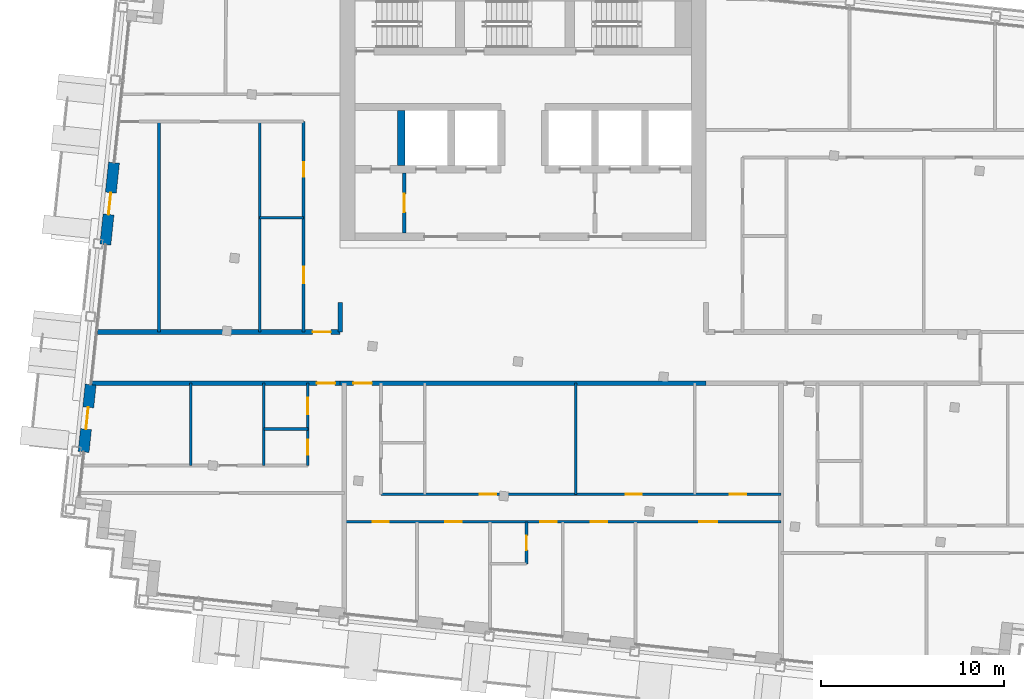
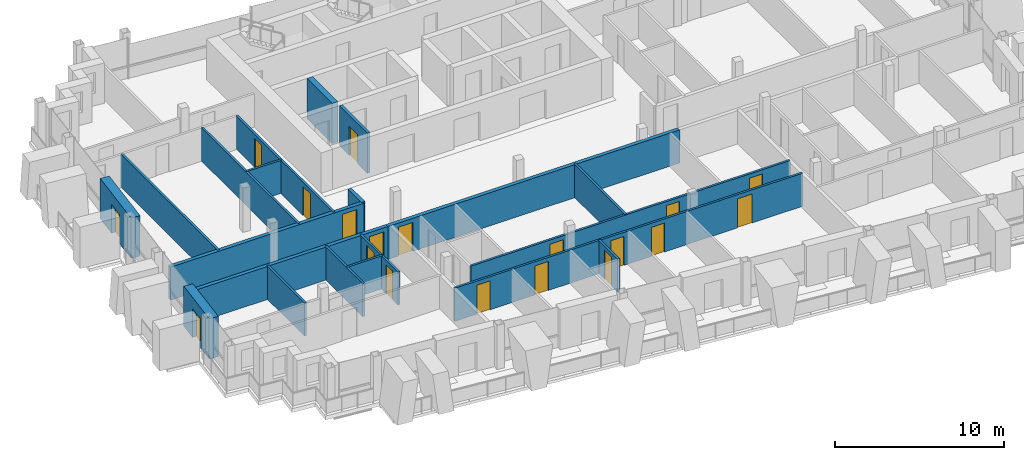
# One storey, part 9 of 16: 20 walls, 19 doors, 19 openings.
"""IFC4 building model written with IfcOpenShell, lengths in metres."""

from ifc_helpers import new_model, si_unit, direction, frame, frame_2d, origin, place, context, subcontext, project, spatial, rectangle, extrude, material, layer, layer_set, type_object, element, fill, save


model = new_model("IFC4")

# Units and contexts
model_context = context("Model", 3, precision=1e-05, world=origin(), true_north=direction((0.0, 1.0)))
body_context = subcontext(model_context, "Body", "Model", "MODEL_VIEW")
ifc_project = project(units=[si_unit("LENGTHUNIT", "METRE"), si_unit("AREAUNIT", "SQUARE_METRE"), si_unit("VOLUMEUNIT", "CUBIC_METRE"), si_unit("PLANEANGLEUNIT", "RADIAN"), si_unit("MASSUNIT", "GRAM", prefix="KILO")], contexts=[model_context])

# Site, building, storey
site_placement = place(None, origin())
site = spatial("IfcSite", under=ifc_project, at=site_placement, CompositionType="ELEMENT")
building_placement = place(site_placement, origin())
building = spatial("IfcBuilding", under=site, at=building_placement, Name="Vidyagriha Tower", CompositionType="ELEMENT")
storey_placement = place(building_placement, frame((0.0, 0.0, 253.10009765625)))
storey = spatial("IfcBuildingStorey", under=building, at=storey_placement, Name="L65", CompositionType="ELEMENT", Elevation=253.10009765625)

# Wall, opening, door
ifc_material_1 = material(Name="Precast concrete C40/50 with brick facing", Category="concrete")
ifc_layer_1 = layer(ifc_material_1, 0.60009765625)
ifc_layer_set_1 = layer_set([ifc_layer_1], Name="Precast concrete C40/50 with brick facing")
wall_type_1 = type_object("IfcWallType", Name="Brick-faced precast wall 600", PredefinedType="STANDARD", material=ifc_layer_set_1)
wall_1_placement = place(storey_placement, frame((-22.36279296875, 10.65673828125, 0.0), z_axis=(0.0, 0.0, 1.0), x_axis=(-0.104492739125, -0.994525649478, 0.0)))
wall_1 = element("IfcWall", 1, at=wall_1_placement, inside=storey, type_object=wall_type_1, Name="Brick door bay wall L65 R14.3", PredefinedType="STANDARD", context=body_context, shape_type="SweptSolid", body=[
    extrude(rectangle(XDim=4.5, YDim=0.60009765625, at=frame_2d((2.25, 0.0))), origin(), (0.0, 0.0, 1.0), 2.919921875),
])
opening_1_placement = place(wall_1_placement, frame((1.64990234375, 0.0, 0.0)))
opening_1 = element("IfcOpeningElement", 2, at=opening_1_placement, cuts=wall_1, Name="Opening D65-53", PredefinedType="OPENING", context=body_context, shape_type="SweptSolid", body=[
    extrude(rectangle(XDim=1.199951171875, YDim=2.10009765625, at=frame_2d((0.60009765625, 1.050048828125))), frame((0.0, 0.31005859375, 0.0), z_axis=(0.0, -1.0, 0.0), x_axis=(1.0, 0.0, 0.0)), (0.0, 0.0, 1.0), 0.6201171875),
])
ifc_material_2 = material(Name="Aluminium framed glazed sliding door", Category="aluminium")
door_type_1 = type_object("IfcDoorType", Name="Balcony sliding door 1200x2100", OperationType="NOTDEFINED", PredefinedType="DOOR", material=ifc_material_2)
door_1_placement = place(opening_1_placement, origin())
door_1 = element("IfcDoor", 3, at=door_1_placement, inside=storey, type_object=door_type_1, Name="Door D65-53", OperationType="SLIDING_TO_LEFT", OverallHeight=2.10009765625, OverallWidth=1.199951171875, PredefinedType="DOOR", context=body_context, shape_type="SweptSolid", body=[
    extrude(rectangle(XDim=1.199951171875, YDim=2.10009765625, at=frame_2d((0.60009765625, 1.050048828125))), frame((0.0, 0.02490234375, 0.0), z_axis=(0.0, -1.0, 0.0), x_axis=(1.0, 0.0, 0.0)), (0.0, 0.0, 1.0), 0.050048828125),
])
fill(opening_1, door_1)

wall_2_placement = place(storey_placement, frame((-23.637939453125, -1.476318359375, 0.0), z_axis=(0.0, 0.0, 1.0), x_axis=(-0.104513052986, -0.994523514933, 0.0)))
wall_2 = element("IfcWall", 4, at=wall_2_placement, inside=storey, type_object=wall_type_1, Name="Brick door bay wall L65 R14.6", PredefinedType="STANDARD", context=body_context, shape_type="SweptSolid", body=[
    extrude(rectangle(XDim=3.7001953125, YDim=0.60009765625, at=frame_2d((1.85009765625, 0.0))), origin(), (0.0, 0.0, 1.0), 2.919921875),
])
opening_2_placement = place(wall_2_placement, frame((1.25, 0.0, 0.0)))
opening_2 = element("IfcOpeningElement", 5, at=opening_2_placement, cuts=wall_2, Name="Opening D65-54", PredefinedType="OPENING", context=body_context, shape_type="SweptSolid", body=[
    extrude(rectangle(XDim=1.199951171875, YDim=2.10009765625, at=frame_2d((0.60009765625, 1.050048828125))), frame((0.0, 0.31005859375, 0.0), z_axis=(0.0, -1.0, 0.0), x_axis=(1.0, 0.0, 0.0)), (0.0, 0.0, 1.0), 0.6201171875),
])
door_2_placement = place(opening_2_placement, origin())
door_2 = element("IfcDoor", 6, at=door_2_placement, inside=storey, type_object=door_type_1, Name="Door D65-54", OperationType="SLIDING_TO_LEFT", OverallHeight=2.10009765625, OverallWidth=1.199951171875, PredefinedType="DOOR", context=body_context, shape_type="SweptSolid", body=[
    extrude(rectangle(XDim=1.199951171875, YDim=2.10009765625, at=frame_2d((0.60009765625, 1.050048828125))), frame((0.0, 0.02490234375, 0.0), z_axis=(0.0, -1.0, 0.0), x_axis=(1.0, 0.0, 0.0)), (0.0, 0.0, 1.0), 0.050048828125),
])
fill(opening_2, door_2)

# Wall
ifc_material_3 = material(Name="Concrete C60/75", Category="concrete")
ifc_layer_2 = layer(ifc_material_3, 0.39990234375)
ifc_layer_set_2 = layer_set([ifc_layer_2], Name="Concrete C60/75")
wall_type_2 = type_object("IfcWallType", Name="Core shear wall 400 mm", PredefinedType="SHEAR", material=ifc_layer_set_2)
wall_3_placement = place(storey_placement, frame((-6.666748046875, 10.5, 0.0), z_axis=(0.0, 0.0, 1.0), x_axis=(0.0, 1.0, 0.0)))
element("IfcWall", 7, at=wall_3_placement, inside=storey, type_object=wall_type_2, Name="Core bay wall N1", PredefinedType="SHEAR", context=body_context, shape_type="SweptSolid", body=[
    extrude(rectangle(XDim=3.0, YDim=0.39990234375, at=frame_2d((1.5, 0.0))), origin(), (0.0, 0.0, 1.0), 2.919921875),
])

# Wall, opening, door
ifc_material_4 = material(Name="Fired clay brick masonry", Category="masonry")
ifc_layer_3 = layer(ifc_material_4, 0.25)
ifc_layer_set_3 = layer_set([ifc_layer_3], Name="Fired clay brick masonry")
wall_type_3 = type_object("IfcWallType", Name="Fired clay brick corridor wall 250", PredefinedType="PARTITIONING", material=ifc_layer_set_3)
wall_4_placement = place(storey_placement, frame((-10.0, -1.39990234375, 0.0), z_axis=(0.0, 0.0, 1.0), x_axis=(-1.0, 0.0, 0.0)))
wall_4 = element("IfcWall", 8, at=wall_4_placement, inside=storey, type_object=wall_type_3, Name="Wall all-L65-w056", PredefinedType="PARTITIONING", context=body_context, shape_type="SweptSolid", body=[
    extrude(rectangle(XDim=13.5595703125, YDim=0.25, at=frame_2d((6.77978515625, 0.0))), origin(), (0.0, 0.0, 1.0), 2.39990234375),
])
opening_3_placement = place(wall_4_placement, frame((0.27001953125, 0.0, 0.0)))
opening_3 = element("IfcOpeningElement", 9, at=opening_3_placement, cuts=wall_4, Name="Opening D65-15", PredefinedType="OPENING", context=body_context, shape_type="SweptSolid", body=[
    extrude(rectangle(XDim=1.0, YDim=2.10009765625, at=frame_2d((0.5, 1.050048828125))), frame((0.0, 0.135009765625, 0.0), z_axis=(0.0, -1.0, 0.0), x_axis=(1.0, 0.0, 0.0)), (0.0, 0.0, 1.0), 0.27001953125),
])
ifc_material_5 = material(Name="Fire-rated timber door leaf EI 60", Category="wood")
door_type_2 = type_object("IfcDoorType", Name="Flat entrance fire door 1000x2100", OperationType="NOTDEFINED", PredefinedType="DOOR", material=ifc_material_5)
door_3_placement = place(opening_3_placement, origin())
door_3 = element("IfcDoor", 10, at=door_3_placement, inside=storey, type_object=door_type_2, Name="Door D65-15", OperationType="SINGLE_SWING_LEFT", OverallHeight=2.10009765625, OverallWidth=1.0, PredefinedType="DOOR", context=body_context, shape_type="SweptSolid", body=[
    extrude(rectangle(XDim=1.0, YDim=2.10009765625, at=frame_2d((0.5, 1.050048828125))), frame((0.0, 0.02490234375, 0.0), z_axis=(0.0, -1.0, 0.0), x_axis=(1.0, 0.0, 0.0)), (0.0, 0.0, 1.0), 0.050048828125),
])
fill(opening_3, door_3)

wall_5_placement = place(storey_placement, frame((-23.26513671875, 1.39990234375, 0.0)))
wall_5 = element("IfcWall", 11, at=wall_5_placement, inside=storey, type_object=wall_type_3, Name="Wall all-L65-w073", PredefinedType="PARTITIONING", context=body_context, shape_type="SweptSolid", body=[
    extrude(rectangle(XDim=13.26513671875, YDim=0.25, at=frame_2d((6.632568359375, 0.0))), origin(), (0.0, 0.0, 1.0), 2.39990234375),
])
opening_4_placement = place(wall_5_placement, frame((11.76513671875, 0.0, 0.0)))
opening_4 = element("IfcOpeningElement", 12, at=opening_4_placement, cuts=wall_5, Name="Opening D65-42", PredefinedType="OPENING", context=body_context, shape_type="SweptSolid", body=[
    extrude(rectangle(XDim=1.0, YDim=2.10009765625, at=frame_2d((0.5, 1.050048828125))), frame((0.0, 0.135009765625, 0.0), z_axis=(0.0, -1.0, 0.0), x_axis=(1.0, 0.0, 0.0)), (0.0, 0.0, 1.0), 0.27001953125),
])
door_4_placement = place(opening_4_placement, origin())
door_4 = element("IfcDoor", 13, at=door_4_placement, inside=storey, type_object=door_type_2, Name="Door D65-42", OperationType="SINGLE_SWING_RIGHT", OverallHeight=2.10009765625, OverallWidth=1.0, PredefinedType="DOOR", context=body_context, shape_type="SweptSolid", body=[
    extrude(rectangle(XDim=1.0, YDim=2.10009765625, at=frame_2d((0.5, 1.050048828125))), frame((0.0, 0.02490234375, 0.0), z_axis=(0.0, -1.0, 0.0), x_axis=(1.0, 0.0, 0.0)), (0.0, 0.0, 1.0), 0.050048828125),
])
fill(opening_4, door_4)

wall_6_placement = place(storey_placement, frame((10.0, -1.39990234375, 0.0), z_axis=(0.0, 0.0, 1.0), x_axis=(-1.0, 0.0, 0.0)))
wall_6 = element("IfcWall", 14, at=wall_6_placement, inside=storey, type_object=wall_type_3, Name="Wall all-L65-w096", PredefinedType="PARTITIONING", context=body_context, shape_type="SweptSolid", body=[
    extrude(rectangle(XDim=20.0, YDim=0.25, at=frame_2d((10.0, 0.0))), origin(), (0.0, 0.0, 1.0), 2.39990234375),
])
opening_5_placement = place(wall_6_placement, frame((18.27001953125, 0.0, 0.0)))
opening_5 = element("IfcOpeningElement", 15, at=opening_5_placement, cuts=wall_6, Name="Opening D65-27", PredefinedType="OPENING", context=body_context, shape_type="SweptSolid", body=[
    extrude(rectangle(XDim=1.0, YDim=2.10009765625, at=frame_2d((0.5, 1.050048828125))), frame((0.0, 0.135009765625, 0.0), z_axis=(0.0, -1.0, 0.0), x_axis=(1.0, 0.0, 0.0)), (0.0, 0.0, 1.0), 0.27001953125),
])
door_5_placement = place(opening_5_placement, origin())
door_5 = element("IfcDoor", 16, at=door_5_placement, inside=storey, type_object=door_type_2, Name="Door D65-27", OperationType="SINGLE_SWING_RIGHT", OverallHeight=2.10009765625, OverallWidth=1.0, PredefinedType="DOOR", context=body_context, shape_type="SweptSolid", body=[
    extrude(rectangle(XDim=1.0, YDim=2.10009765625, at=frame_2d((0.5, 1.050048828125))), frame((0.0, 0.02490234375, 0.0), z_axis=(0.0, -1.0, 0.0), x_axis=(1.0, 0.0, 0.0)), (0.0, 0.0, 1.0), 0.050048828125),
])
fill(opening_5, door_5)

# Walls
wall_7_placement = place(storey_placement, frame((-10.0, 3.0, 0.0), z_axis=(0.0, 0.0, 1.0), x_axis=(0.0, -1.0, 0.0)))
element("IfcWall", 17, at=wall_7_placement, inside=storey, type_object=wall_type_3, Name="Wall all-L65-w097", PredefinedType="PARTITIONING", context=body_context, shape_type="SweptSolid", body=[
    extrude(rectangle(XDim=1.60009765625, YDim=0.25, at=frame_2d((0.800048828125, 0.0))), origin(), (0.0, 0.0, 1.0), 2.39990234375),
])
ifc_material_6 = material(Name="Gypsum board partition")
ifc_layer_4 = layer(ifc_material_6, 0.14990234375)
ifc_layer_set_4 = layer_set([ifc_layer_4], Name="Gypsum board partition")
wall_type_4 = type_object("IfcWallType", Name="Gypsum board partition 150", PredefinedType="PARTITIONING", material=ifc_layer_set_4)
wall_8_placement = place(storey_placement, frame((-11.77001953125, -3.89990234375, 0.0), z_axis=(0.0, 0.0, 1.0), x_axis=(-1.0, 0.0, 0.0)))
element("IfcWall", 18, at=wall_8_placement, inside=storey, type_object=wall_type_4, Name="Wall all-L65-w004", PredefinedType="PARTITIONING", context=body_context, shape_type="SweptSolid", body=[
    extrude(rectangle(XDim=2.39990234375, YDim=0.14990234375, at=frame_2d((1.199951171875, 0.0))), origin(), (0.0, 0.0, 1.0), 2.39990234375),
])
for number, where, z_axis, x_axis, name in (
    (19, (-14.169921875, -5.89990234375, 0.0), (0.0, 0.0, 1.0), (0.0, 1.0, 0.0), "Wall all-L65-w005"),
    (20, (-18.169921875, -5.89990234375, 0.0), (0.0, 0.0, 1.0), (0.0, 1.0, 0.0), "Wall all-L65-w006"),
):
    element("IfcWall", number, at=place(storey_placement, frame(where, z_axis=z_axis, x_axis=x_axis)), inside=storey, type_object=wall_type_4, Name=name, PredefinedType="PARTITIONING", context=body_context, shape_type="SweptSolid", body=[
        extrude(rectangle(XDim=4.5, YDim=0.14990234375, at=frame_2d((2.25, 0.0))), origin(), (0.0, 0.0, 1.0), 2.39990234375),
    ])
wall_9_placement = place(storey_placement, frame((2.8798828125, -1.39990234375, 0.0), z_axis=(0.0, 0.0, 1.0), x_axis=(0.0, -1.0, 0.0)))
element("IfcWall", 21, at=wall_9_placement, inside=storey, type_object=wall_type_4, Name="Wall all-L65-w018", PredefinedType="PARTITIONING", context=body_context, shape_type="SweptSolid", body=[
    extrude(rectangle(XDim=6.07470703125, YDim=0.14990234375, at=frame_2d((3.037353515625, 0.0))), origin(), (0.0, 0.0, 1.0), 2.39990234375),
])

# Wall, openings, doors
wall_10_placement = place(storey_placement, frame((-7.77001953125, -7.474609375, 0.0)))
wall_10 = element("IfcWall", 22, at=wall_10_placement, inside=storey, type_object=wall_type_4, Name="Wall all-L65-w020", PredefinedType="PARTITIONING", context=body_context, shape_type="SweptSolid", body=[
    extrude(rectangle(XDim=21.867919921875, YDim=0.14990234375, at=frame_2d((10.93408203125, 0.0))), origin(), (0.0, 0.0, 1.0), 2.39990234375),
])
opening_6_placement = place(wall_10_placement, frame((5.413818359375, 0.0, 0.0)))
opening_6 = element("IfcOpeningElement", 23, at=opening_6_placement, cuts=wall_10, Name="Opening D65-18", PredefinedType="OPENING", context=body_context, shape_type="SweptSolid", body=[
    extrude(rectangle(XDim=0.89990234375, YDim=2.10009765625, at=frame_2d((0.449951171875, 1.050048828125))), frame((0.0, 0.0849609375, 0.0), z_axis=(0.0, -1.0, 0.0), x_axis=(1.0, 0.0, 0.0)), (0.0, 0.0, 1.0), 0.169921875),
])
opening_7_placement = place(wall_10_placement, frame((13.3701171875, 0.0, 0.0)))
opening_7 = element("IfcOpeningElement", 24, at=opening_7_placement, cuts=wall_10, Name="Opening D65-19", PredefinedType="OPENING", context=body_context, shape_type="SweptSolid", body=[
    extrude(rectangle(XDim=0.89990234375, YDim=2.10009765625, at=frame_2d((0.449951171875, 1.050048828125))), frame((0.0, 0.0849609375, 0.0), z_axis=(0.0, -1.0, 0.0), x_axis=(1.0, 0.0, 0.0)), (0.0, 0.0, 1.0), 0.169921875),
])
opening_8_placement = place(wall_10_placement, frame((19.05908203125, 0.0, 0.0)))
opening_8 = element("IfcOpeningElement", 25, at=opening_8_placement, cuts=wall_10, Name="Opening D65-20", PredefinedType="OPENING", context=body_context, shape_type="SweptSolid", body=[
    extrude(rectangle(XDim=0.89990234375, YDim=2.10009765625, at=frame_2d((0.449951171875, 1.050048828125))), frame((0.0, 0.0849609375, 0.0), z_axis=(0.0, -1.0, 0.0), x_axis=(1.0, 0.0, 0.0)), (0.0, 0.0, 1.0), 0.169921875),
])
ifc_material_7 = material(Name="Timber door leaf", Category="wood")
door_type_3 = type_object("IfcDoorType", Name="Room door 900x2100", OperationType="NOTDEFINED", PredefinedType="DOOR", material=ifc_material_7)
door_6_placement = place(opening_6_placement, origin())
door_6 = element("IfcDoor", 26, at=door_6_placement, inside=storey, type_object=door_type_3, Name="Door D65-18", OperationType="SINGLE_SWING_LEFT", OverallHeight=2.10009765625, OverallWidth=0.89990234375, PredefinedType="DOOR", context=body_context, shape_type="SweptSolid", body=[
    extrude(rectangle(XDim=0.89990234375, YDim=2.10009765625, at=frame_2d((0.449951171875, 1.050048828125))), frame((0.0, 0.02490234375, 0.0), z_axis=(0.0, -1.0, 0.0), x_axis=(1.0, 0.0, 0.0)), (0.0, 0.0, 1.0), 0.050048828125),
])
fill(opening_6, door_6)
door_7_placement = place(opening_7_placement, origin())
door_7 = element("IfcDoor", 27, at=door_7_placement, inside=storey, type_object=door_type_3, Name="Door D65-19", OperationType="SINGLE_SWING_LEFT", OverallHeight=2.10009765625, OverallWidth=0.89990234375, PredefinedType="DOOR", context=body_context, shape_type="SweptSolid", body=[
    extrude(rectangle(XDim=0.89990234375, YDim=2.10009765625, at=frame_2d((0.449951171875, 1.050048828125))), frame((0.0, 0.02490234375, 0.0), z_axis=(0.0, -1.0, 0.0), x_axis=(1.0, 0.0, 0.0)), (0.0, 0.0, 1.0), 0.050048828125),
])
fill(opening_7, door_7)
door_8_placement = place(opening_8_placement, origin())
door_8 = element("IfcDoor", 28, at=door_8_placement, inside=storey, type_object=door_type_3, Name="Door D65-20", OperationType="SINGLE_SWING_RIGHT", OverallHeight=2.10009765625, OverallWidth=0.89990234375, PredefinedType="DOOR", context=body_context, shape_type="SweptSolid", body=[
    extrude(rectangle(XDim=0.89990234375, YDim=2.10009765625, at=frame_2d((0.449951171875, 1.050048828125))), frame((0.0, 0.02490234375, 0.0), z_axis=(0.0, -1.0, 0.0), x_axis=(1.0, 0.0, 0.0)), (0.0, 0.0, 1.0), 0.050048828125),
])
fill(opening_8, door_8)

wall_11_placement = place(storey_placement, frame((14.097900390625, -8.974609375, 0.0), z_axis=(0.0, 0.0, 1.0), x_axis=(-1.0, 0.0, 0.0)))
wall_11 = element("IfcWall", 29, at=wall_11_placement, inside=storey, type_object=wall_type_4, Name="Wall all-L65-w024", PredefinedType="PARTITIONING", context=body_context, shape_type="SweptSolid", body=[
    extrude(rectangle(XDim=23.867919921875, YDim=0.14990234375, at=frame_2d((11.93408203125, 0.0))), origin(), (0.0, 0.0, 1.0), 2.39990234375),
])
opening_9_placement = place(wall_11_placement, frame((21.42919921875, 0.0, 0.0)))
opening_9 = element("IfcOpeningElement", 30, at=opening_9_placement, cuts=wall_11, Name="Opening D65-21", PredefinedType="OPENING", context=body_context, shape_type="SweptSolid", body=[
    extrude(rectangle(XDim=0.89990234375, YDim=2.10009765625, at=frame_2d((0.449951171875, 1.050048828125))), frame((0.0, 0.0849609375, 0.0), z_axis=(0.0, -1.0, 0.0), x_axis=(1.0, 0.0, 0.0)), (0.0, 0.0, 1.0), 0.169921875),
])
opening_10_placement = place(wall_11_placement, frame((17.451416015625, 0.0, 0.0)))
opening_10 = element("IfcOpeningElement", 31, at=opening_10_placement, cuts=wall_11, Name="Opening D65-22", PredefinedType="OPENING", context=body_context, shape_type="SweptSolid", body=[
    extrude(rectangle(XDim=0.89990234375, YDim=2.10009765625, at=frame_2d((0.449951171875, 1.050048828125))), frame((0.0, 0.0849609375, 0.0), z_axis=(0.0, -1.0, 0.0), x_axis=(1.0, 0.0, 0.0)), (0.0, 0.0, 1.0), 0.169921875),
])
opening_11_placement = place(wall_11_placement, frame((12.252197265625, 0.0, 0.0)))
opening_11 = element("IfcOpeningElement", 32, at=opening_11_placement, cuts=wall_11, Name="Opening D65-23", PredefinedType="OPENING", context=body_context, shape_type="SweptSolid", body=[
    extrude(rectangle(XDim=0.89990234375, YDim=2.10009765625, at=frame_2d((0.449951171875, 1.050048828125))), frame((0.0, 0.0849609375, 0.0), z_axis=(0.0, -1.0, 0.0), x_axis=(1.0, 0.0, 0.0)), (0.0, 0.0, 1.0), 0.169921875),
])
opening_12_placement = place(wall_11_placement, frame((9.4951171875, 0.0, 0.0)))
opening_12 = element("IfcOpeningElement", 33, at=opening_12_placement, cuts=wall_11, Name="Opening D65-24", PredefinedType="OPENING", context=body_context, shape_type="SweptSolid", body=[
    extrude(rectangle(XDim=0.89990234375, YDim=2.10009765625, at=frame_2d((0.449951171875, 1.050048828125))), frame((0.0, 0.0849609375, 0.0), z_axis=(0.0, -1.0, 0.0), x_axis=(1.0, 0.0, 0.0)), (0.0, 0.0, 1.0), 0.169921875),
])
opening_13_placement = place(wall_11_placement, frame((3.47802734375, 0.0, 0.0)))
opening_13 = element("IfcOpeningElement", 34, at=opening_13_placement, cuts=wall_11, Name="Opening D65-25", PredefinedType="OPENING", context=body_context, shape_type="SweptSolid", body=[
    extrude(rectangle(XDim=1.0, YDim=2.10009765625, at=frame_2d((0.5, 1.050048828125))), frame((0.0, 0.0849609375, 0.0), z_axis=(0.0, -1.0, 0.0), x_axis=(1.0, 0.0, 0.0)), (0.0, 0.0, 1.0), 0.169921875),
])
ifc_material_8 = material(Name="Timber door leaf", Category="wood")
door_type_4 = type_object("IfcDoorType", Name="Room door 1000x2100", OperationType="NOTDEFINED", PredefinedType="DOOR", material=ifc_material_8)
door_9_placement = place(opening_13_placement, origin())
door_9 = element("IfcDoor", 35, at=door_9_placement, inside=storey, type_object=door_type_4, Name="Door D65-25", OperationType="SINGLE_SWING_LEFT", OverallHeight=2.10009765625, OverallWidth=1.0, PredefinedType="DOOR", context=body_context, shape_type="SweptSolid", body=[
    extrude(rectangle(XDim=1.0, YDim=2.10009765625, at=frame_2d((0.5, 1.050048828125))), frame((0.0, 0.02490234375, 0.0), z_axis=(0.0, -1.0, 0.0), x_axis=(1.0, 0.0, 0.0)), (0.0, 0.0, 1.0), 0.050048828125),
])
fill(opening_13, door_9)
door_10_placement = place(opening_9_placement, origin())
door_10 = element("IfcDoor", 36, at=door_10_placement, inside=storey, type_object=door_type_3, Name="Door D65-21", OperationType="SINGLE_SWING_RIGHT", OverallHeight=2.10009765625, OverallWidth=0.89990234375, PredefinedType="DOOR", context=body_context, shape_type="SweptSolid", body=[
    extrude(rectangle(XDim=0.89990234375, YDim=2.10009765625, at=frame_2d((0.449951171875, 1.050048828125))), frame((0.0, 0.02490234375, 0.0), z_axis=(0.0, -1.0, 0.0), x_axis=(1.0, 0.0, 0.0)), (0.0, 0.0, 1.0), 0.050048828125),
])
fill(opening_9, door_10)
door_11_placement = place(opening_10_placement, origin())
door_11 = element("IfcDoor", 37, at=door_11_placement, inside=storey, type_object=door_type_3, Name="Door D65-22", OperationType="SINGLE_SWING_RIGHT", OverallHeight=2.10009765625, OverallWidth=0.89990234375, PredefinedType="DOOR", context=body_context, shape_type="SweptSolid", body=[
    extrude(rectangle(XDim=0.89990234375, YDim=2.10009765625, at=frame_2d((0.449951171875, 1.050048828125))), frame((0.0, 0.02490234375, 0.0), z_axis=(0.0, -1.0, 0.0), x_axis=(1.0, 0.0, 0.0)), (0.0, 0.0, 1.0), 0.050048828125),
])
fill(opening_10, door_11)
door_12_placement = place(opening_11_placement, origin())
door_12 = element("IfcDoor", 38, at=door_12_placement, inside=storey, type_object=door_type_3, Name="Door D65-23", OperationType="SINGLE_SWING_LEFT", OverallHeight=2.10009765625, OverallWidth=0.89990234375, PredefinedType="DOOR", context=body_context, shape_type="SweptSolid", body=[
    extrude(rectangle(XDim=0.89990234375, YDim=2.10009765625, at=frame_2d((0.449951171875, 1.050048828125))), frame((0.0, 0.02490234375, 0.0), z_axis=(0.0, -1.0, 0.0), x_axis=(1.0, 0.0, 0.0)), (0.0, 0.0, 1.0), 0.050048828125),
])
fill(opening_11, door_12)
door_13_placement = place(opening_12_placement, origin())
door_13 = element("IfcDoor", 39, at=door_13_placement, inside=storey, type_object=door_type_3, Name="Door D65-24", OperationType="SINGLE_SWING_LEFT", OverallHeight=2.10009765625, OverallWidth=0.89990234375, PredefinedType="DOOR", context=body_context, shape_type="SweptSolid", body=[
    extrude(rectangle(XDim=0.89990234375, YDim=2.10009765625, at=frame_2d((0.449951171875, 1.050048828125))), frame((0.0, 0.02490234375, 0.0), z_axis=(0.0, -1.0, 0.0), x_axis=(1.0, 0.0, 0.0)), (0.0, 0.0, 1.0), 0.050048828125),
])
fill(opening_12, door_13)

# Wall, opening, door
wall_12_placement = place(storey_placement, frame((0.185791015625, -8.974609375, 0.0), z_axis=(0.0, 0.0, 1.0), x_axis=(0.0, -1.0, 0.0)))
wall_12 = element("IfcWall", 40, at=wall_12_placement, inside=storey, type_object=wall_type_4, Name="Wall all-L65-w034", PredefinedType="PARTITIONING", context=body_context, shape_type="SweptSolid", body=[
    extrude(rectangle(XDim=2.2998046875, YDim=0.14990234375, at=frame_2d((1.14990234375, 0.0))), origin(), (0.0, 0.0, 1.0), 2.39990234375),
])
opening_14_placement = place(wall_12_placement, frame((0.75, 0.0, 0.0)))
opening_14 = element("IfcOpeningElement", 41, at=opening_14_placement, cuts=wall_12, Name="Opening D65-26", PredefinedType="OPENING", context=body_context, shape_type="SweptSolid", body=[
    extrude(rectangle(XDim=0.800048828125, YDim=2.10009765625, at=frame_2d((0.39990234375, 1.050048828125))), frame((0.0, 0.0849609375, 0.0), z_axis=(0.0, -1.0, 0.0), x_axis=(1.0, 0.0, 0.0)), (0.0, 0.0, 1.0), 0.169921875),
])
ifc_material_9 = material(Name="Timber door leaf", Category="wood")
door_type_5 = type_object("IfcDoorType", Name="Bathroom door 800x2100", OperationType="NOTDEFINED", PredefinedType="DOOR", material=ifc_material_9)
door_14_placement = place(opening_14_placement, origin())
door_14 = element("IfcDoor", 42, at=door_14_placement, inside=storey, type_object=door_type_5, Name="Door D65-26", OperationType="SINGLE_SWING_LEFT", OverallHeight=2.10009765625, OverallWidth=0.800048828125, PredefinedType="DOOR", context=body_context, shape_type="SweptSolid", body=[
    extrude(rectangle(XDim=0.800048828125, YDim=2.10009765625, at=frame_2d((0.39990234375, 1.050048828125))), frame((0.0, 0.02490234375, 0.0), z_axis=(0.0, -1.0, 0.0), x_axis=(1.0, 0.0, 0.0)), (0.0, 0.0, 1.0), 0.050048828125),
])
fill(opening_14, door_14)

# Walls
wall_13_placement = place(storey_placement, frame((-14.39990234375, 7.64990234375, 0.0)))
element("IfcWall", 43, at=wall_13_placement, inside=storey, type_object=wall_type_4, Name="Wall all-L65-w062", PredefinedType="PARTITIONING", context=body_context, shape_type="SweptSolid", body=[
    extrude(rectangle(XDim=2.39990234375, YDim=0.14990234375, at=frame_2d((1.199951171875, 0.0))), origin(), (0.0, 0.0, 1.0), 2.39990234375),
])
for number, where, z_axis, x_axis, name in (
    (44, (-14.39990234375, 1.39990234375, 0.0), (0.0, 0.0, 1.0), (0.0, 1.0, 0.0), "Wall all-L65-w063"),
    (45, (-19.89990234375, 1.39990234375, 0.0), (0.0, 0.0, 1.0), (0.0, 1.0, 0.0), "Wall all-L65-w064"),
):
    element("IfcWall", number, at=place(storey_placement, frame(where, z_axis=z_axis, x_axis=x_axis)), inside=storey, type_object=wall_type_4, Name=name, PredefinedType="PARTITIONING", context=body_context, shape_type="SweptSolid", body=[
        extrude(rectangle(XDim=11.5, YDim=0.14990234375, at=frame_2d((5.75, 0.0))), origin(), (0.0, 0.0, 1.0), 2.39990234375),
    ])

# Wall, openings, doors
ifc_material_10 = material(Name="Moisture resistant gypsum board partition")
ifc_layer_5 = layer(ifc_material_10, 0.14990234375)
ifc_layer_set_5 = layer_set([ifc_layer_5], Name="Moisture resistant gypsum board partition")
wall_type_5 = type_object("IfcWallType", Name="Gypsum board wet-area partition 150", PredefinedType="PARTITIONING", material=ifc_layer_set_5)
wall_14_placement = place(storey_placement, frame((-11.77001953125, -5.89990234375, 0.0), z_axis=(0.0, 0.0, 1.0), x_axis=(0.0, 1.0, 0.0)))
wall_14 = element("IfcWall", 46, at=wall_14_placement, inside=storey, type_object=wall_type_5, Name="Wall all-L65-w001", PredefinedType="PARTITIONING", context=body_context, shape_type="SweptSolid", body=[
    extrude(rectangle(XDim=4.5, YDim=0.14990234375, at=frame_2d((2.25, 0.0))), origin(), (0.0, 0.0, 1.0), 2.39990234375),
])
opening_15_placement = place(wall_14_placement, frame((2.800048828125, 0.0, 0.0)))
opening_15 = element("IfcOpeningElement", 47, at=opening_15_placement, cuts=wall_14, Name="Opening D65-10", PredefinedType="OPENING", context=body_context, shape_type="SweptSolid", body=[
    extrude(rectangle(XDim=0.89990234375, YDim=2.10009765625, at=frame_2d((0.449951171875, 1.050048828125))), frame((0.0, 0.0849609375, 0.0), z_axis=(0.0, -1.0, 0.0), x_axis=(1.0, 0.0, 0.0)), (0.0, 0.0, 1.0), 0.169921875),
])
opening_16_placement = place(wall_14_placement, frame((0.60009765625, 0.0, 0.0)))
opening_16 = element("IfcOpeningElement", 48, at=opening_16_placement, cuts=wall_14, Name="Opening D65-11", PredefinedType="OPENING", context=body_context, shape_type="SweptSolid", body=[
    extrude(rectangle(XDim=0.800048828125, YDim=2.10009765625, at=frame_2d((0.39990234375, 1.050048828125))), frame((0.0, 0.0849609375, 0.0), z_axis=(0.0, -1.0, 0.0), x_axis=(1.0, 0.0, 0.0)), (0.0, 0.0, 1.0), 0.169921875),
])
door_15_placement = place(opening_16_placement, origin())
door_15 = element("IfcDoor", 49, at=door_15_placement, inside=storey, type_object=door_type_5, Name="Door D65-11", OperationType="SINGLE_SWING_LEFT", OverallHeight=2.10009765625, OverallWidth=0.800048828125, PredefinedType="DOOR", context=body_context, shape_type="SweptSolid", body=[
    extrude(rectangle(XDim=0.800048828125, YDim=2.10009765625, at=frame_2d((0.39990234375, 1.050048828125))), frame((0.0, 0.02490234375, 0.0), z_axis=(0.0, -1.0, 0.0), x_axis=(1.0, 0.0, 0.0)), (0.0, 0.0, 1.0), 0.050048828125),
])
fill(opening_16, door_15)
ifc_material_11 = material(Name="Timber door leaf", Category="wood")
door_type_6 = type_object("IfcDoorType", Name="Kitchen door 900x2100", OperationType="NOTDEFINED", PredefinedType="DOOR", material=ifc_material_11)
door_16_placement = place(opening_15_placement, origin())
door_16 = element("IfcDoor", 50, at=door_16_placement, inside=storey, type_object=door_type_6, Name="Door D65-10", OperationType="SINGLE_SWING_RIGHT", OverallHeight=2.10009765625, OverallWidth=0.89990234375, PredefinedType="DOOR", context=body_context, shape_type="SweptSolid", body=[
    extrude(rectangle(XDim=0.89990234375, YDim=2.10009765625, at=frame_2d((0.449951171875, 1.050048828125))), frame((0.0, 0.02490234375, 0.0), z_axis=(0.0, -1.0, 0.0), x_axis=(1.0, 0.0, 0.0)), (0.0, 0.0, 1.0), 0.050048828125),
])
fill(opening_15, door_16)

wall_15_placement = place(storey_placement, frame((-12.0, 1.39990234375, 0.0), z_axis=(0.0, 0.0, 1.0), x_axis=(0.0, 1.0, 0.0)))
wall_15 = element("IfcWall", 51, at=wall_15_placement, inside=storey, type_object=wall_type_5, Name="Wall all-L65-w059", PredefinedType="PARTITIONING", context=body_context, shape_type="SweptSolid", body=[
    extrude(rectangle(XDim=11.5, YDim=0.14990234375, at=frame_2d((5.75, 0.0))), origin(), (0.0, 0.0, 1.0), 2.39990234375),
])
opening_17_placement = place(wall_15_placement, frame((2.675048828125, 0.0, 0.0)))
opening_17 = element("IfcOpeningElement", 52, at=opening_17_placement, cuts=wall_15, Name="Opening D65-36", PredefinedType="OPENING", context=body_context, shape_type="SweptSolid", body=[
    extrude(rectangle(XDim=0.89990234375, YDim=2.10009765625, at=frame_2d((0.449951171875, 1.050048828125))), frame((0.0, 0.0849609375, 0.0), z_axis=(0.0, -1.0, 0.0), x_axis=(1.0, 0.0, 0.0)), (0.0, 0.0, 1.0), 0.169921875),
])
opening_18_placement = place(wall_15_placement, frame((8.47509765625, 0.0, 0.0)))
opening_18 = element("IfcOpeningElement", 53, at=opening_18_placement, cuts=wall_15, Name="Opening D65-37", PredefinedType="OPENING", context=body_context, shape_type="SweptSolid", body=[
    extrude(rectangle(XDim=0.800048828125, YDim=2.10009765625, at=frame_2d((0.39990234375, 1.050048828125))), frame((0.0, 0.0849609375, 0.0), z_axis=(0.0, -1.0, 0.0), x_axis=(1.0, 0.0, 0.0)), (0.0, 0.0, 1.0), 0.169921875),
])
door_17_placement = place(opening_18_placement, origin())
door_17 = element("IfcDoor", 54, at=door_17_placement, inside=storey, type_object=door_type_5, Name="Door D65-37", OperationType="SINGLE_SWING_RIGHT", OverallHeight=2.10009765625, OverallWidth=0.800048828125, PredefinedType="DOOR", context=body_context, shape_type="SweptSolid", body=[
    extrude(rectangle(XDim=0.800048828125, YDim=2.10009765625, at=frame_2d((0.39990234375, 1.050048828125))), frame((0.0, 0.02490234375, 0.0), z_axis=(0.0, -1.0, 0.0), x_axis=(1.0, 0.0, 0.0)), (0.0, 0.0, 1.0), 0.050048828125),
])
fill(opening_18, door_17)
door_18_placement = place(opening_17_placement, origin())
door_18 = element("IfcDoor", 55, at=door_18_placement, inside=storey, type_object=door_type_6, Name="Door D65-36", OperationType="SINGLE_SWING_RIGHT", OverallHeight=2.10009765625, OverallWidth=0.89990234375, PredefinedType="DOOR", context=body_context, shape_type="SweptSolid", body=[
    extrude(rectangle(XDim=0.89990234375, YDim=2.10009765625, at=frame_2d((0.449951171875, 1.050048828125))), frame((0.0, 0.02490234375, 0.0), z_axis=(0.0, -1.0, 0.0), x_axis=(1.0, 0.0, 0.0)), (0.0, 0.0, 1.0), 0.050048828125),
])
fill(opening_17, door_18)

# Wall, opening, door
ifc_material_12 = material(Name="Blockwork 15 MPa", Category="masonry")
ifc_layer_6 = layer(ifc_material_12, 0.199951171875)
ifc_layer_set_6 = layer_set([ifc_layer_6], Name="Blockwork 15 MPa")
wall_type_6 = type_object("IfcWallType", Name="Service room partition 200 mm", PredefinedType="PARTITIONING", material=ifc_layer_set_6)
wall_16_placement = place(storey_placement, frame((-6.5, 6.800048828125, 0.0), z_axis=(0.0, 0.0, 1.0), x_axis=(0.0, 1.0, 0.0)))
wall_16 = element("IfcWall", 56, at=wall_16_placement, inside=storey, type_object=wall_type_6, Name="Core room partition W", PredefinedType="PARTITIONING", context=body_context, shape_type="SweptSolid", body=[
    extrude(rectangle(XDim=3.300048828125, YDim=0.199951171875, at=frame_2d((1.64990234375, 0.0))), origin(), (0.0, 0.0, 1.0), 2.919921875),
])
opening_19_placement = place(wall_16_placement, frame((1.14990234375, 0.0, 0.0)))
opening_19 = element("IfcOpeningElement", 57, at=opening_19_placement, cuts=wall_16, Name="Opening D65-09", PredefinedType="OPENING", context=body_context, shape_type="SweptSolid", body=[
    extrude(rectangle(XDim=1.0, YDim=2.10009765625, at=frame_2d((0.5, 1.050048828125))), frame((0.0, 0.10986328125, 0.0), z_axis=(0.0, -1.0, 0.0), x_axis=(1.0, 0.0, 0.0)), (0.0, 0.0, 1.0), 0.219970703125),
])
ifc_material_13 = material(Name="Hollow metal door leaf")
door_type_7 = type_object("IfcDoorType", Name="Core room door 1000 x 2100 mm EI 60", OperationType="NOTDEFINED", PredefinedType="DOOR", material=ifc_material_13)
door_19_placement = place(opening_19_placement, origin())
door_19 = element("IfcDoor", 58, at=door_19_placement, inside=storey, type_object=door_type_7, Name="Door Electrical Room 65.T1", OperationType="SINGLE_SWING_RIGHT", OverallHeight=2.10009765625, OverallWidth=1.0, PredefinedType="DOOR", context=body_context, shape_type="SweptSolid", body=[
    extrude(rectangle(XDim=1.0, YDim=2.10009765625, at=frame_2d((0.5, 1.050048828125))), frame((0.0, 0.02490234375, 0.0), z_axis=(0.0, -1.0, 0.0), x_axis=(1.0, 0.0, 0.0)), (0.0, 0.0, 1.0), 0.050048828125),
])
fill(opening_19, door_19)

save(model, "model.ifc")
